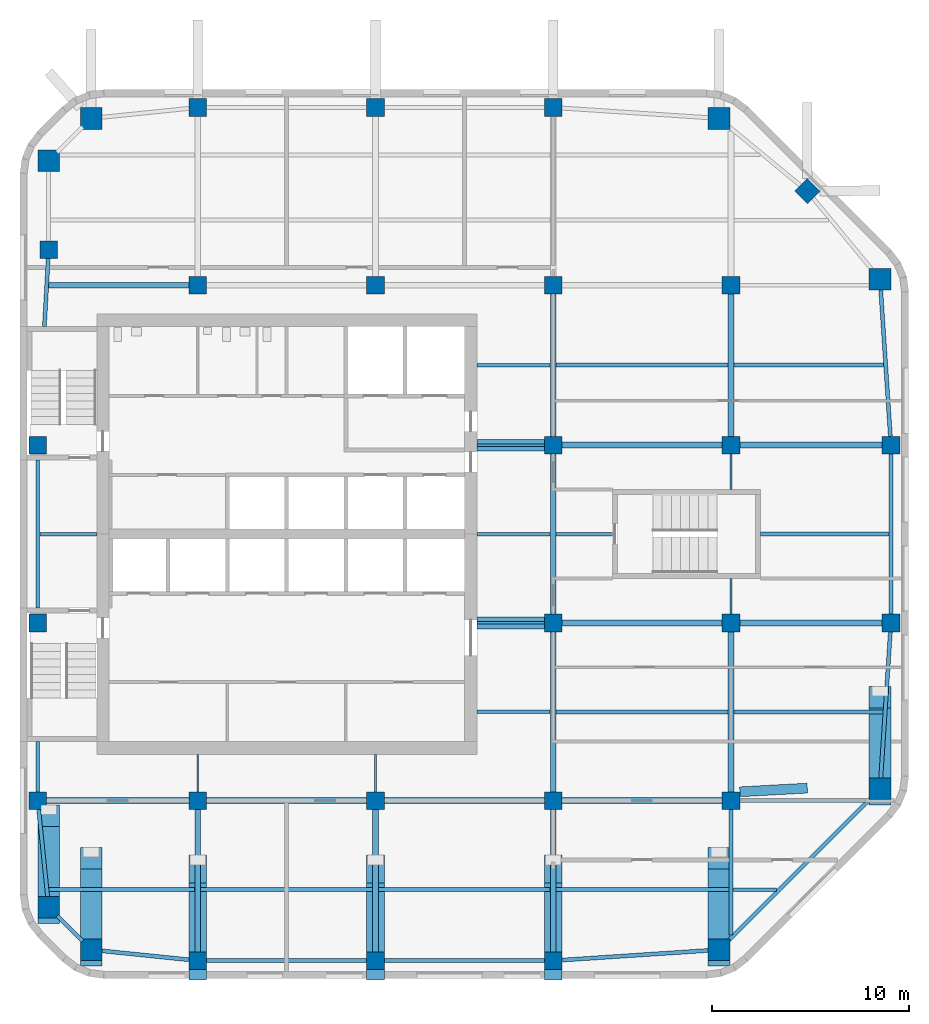
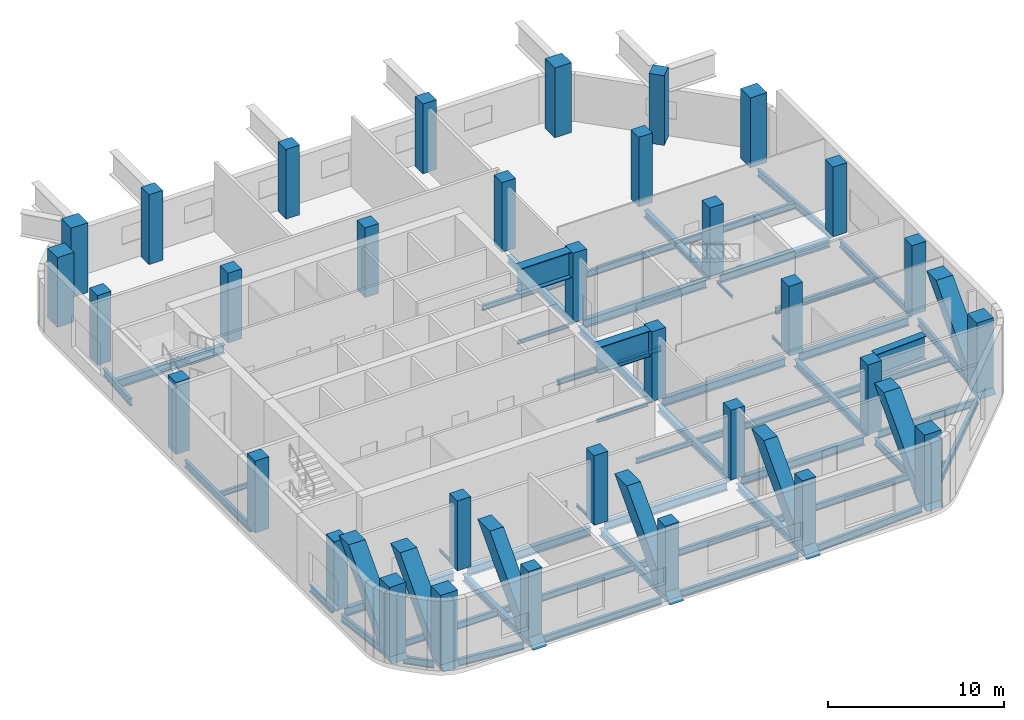
# One storey, part 1 of 8: 56 beams, 33 columns, 7 members.
"""IFC4 building model written with IfcOpenShell, lengths in metres."""

from ifc_helpers import new_model, si_unit, direction, frame, origin, origin_2d, place, context, subcontext, project, spatial, rectangle, i_section, extrude, material, material_profile, profile_set, type_object, element, save


model = new_model("IFC4")

# Units and contexts
model_context = context("Model", 3, precision=1e-05, world=origin(), true_north=direction((0.0, 1.0)))
body_context = subcontext(model_context, "Body", "Model", "MODEL_VIEW")
ifc_project = project(units=[si_unit("LENGTHUNIT", "METRE"), si_unit("AREAUNIT", "SQUARE_METRE"), si_unit("VOLUMEUNIT", "CUBIC_METRE"), si_unit("PLANEANGLEUNIT", "RADIAN"), si_unit("MASSUNIT", "GRAM", prefix="KILO")], contexts=[model_context])

# Site, building, storey
site_placement = place(None, origin())
site = spatial("IfcSite", under=ifc_project, at=site_placement, CompositionType="ELEMENT")
building_placement = place(site_placement, origin())
building = spatial("IfcBuilding", under=site, at=building_placement, Name="Cinnabar Reach Civic Tower", CompositionType="ELEMENT")
storey_placement = place(building_placement, frame((0.0, 0.0, 193.0)))
storey = spatial("IfcBuildingStorey", under=building, at=storey_placement, Name="L46", CompositionType="ELEMENT", Elevation=193.0)

# Columns
ifc_material_1 = material(Name="Concrete C80", Category="concrete")
ifc_material_profile_1 = material_profile(ifc_material_1, rectangle(XDim=1.1, YDim=1.1, at=origin_2d()), Name="RC1100")
ifc_profile_set_1 = profile_set([ifc_material_profile_1], Name="Concrete C80")
column_type_1 = type_object("IfcColumnType", Name="RC1100 column R 240", PredefinedType="COLUMN", material=ifc_profile_set_1)
for number, where, z_axis, x_axis, name in (
    (1, (3.6019, 10.4531, 0.0), (0.0, 0.0, 1.0), (1.0, 0.0, 0.0), "Terrace post T1-Z3-CC0"),
    (2, (35.3981, 10.4531, 0.0), (0.0, 0.0, 1.0), (1.0, 0.0, 0.0), "Terrace post T1-Z3-CC1"),
    (3, (43.5469, 18.6019, 0.0), (0.0, 0.0, 1.0), (1.0, 0.0, 0.0), "Terrace post T1-Z3-CC2"),
    (4, (43.5469, 44.3981, 0.0), (0.0, 0.0, 1.0), (1.0, 0.0, 0.0), "Column T1-Z3-CC3"),
    (5, (35.3981, 52.5469, 0.0), (0.0, 0.0, 1.0), (1.0, 0.0, 0.0), "Column T1-Z3-CC4"),
    (6, (3.6019, 52.5469, 0.0), (0.0, 0.0, 1.0), (1.0, 0.0, 0.0), "Column T1-Z3-CC5"),
    (7, (1.4531, 50.3981, 0.0), (0.0, 0.0, 1.0), (1.0, 0.0, 0.0), "Column T1-Z3-CC6"),
    (8, (1.4531, 12.6019, 0.0), (0.0, 0.0, 1.0), (1.0, 0.0, 0.0), "Terrace post T1-Z3-CC7"),
):
    element("IfcColumn", number, at=place(storey_placement, frame(where, z_axis=z_axis, x_axis=x_axis)), inside=storey, type_object=column_type_1, Name=name, PredefinedType="COLUMN", context=body_context, shape_type="SweptSolid", body=[
        extrude(rectangle(XDim=1.1, YDim=1.1, at=origin_2d()), origin(), (0.0, 0.0, 1.0), 4.85),
    ])
ifc_material_2 = material(Name="Concrete C70", Category="concrete")
ifc_material_profile_2 = material_profile(ifc_material_2, rectangle(XDim=0.9, YDim=0.9, at=origin_2d()), Name="RC900")
ifc_profile_set_2 = profile_set([ifc_material_profile_2], Name="Concrete C70")
column_type_2 = type_object("IfcColumnType", Name="RC900 column R 240", PredefinedType="COLUMN", material=ifc_profile_set_2)
for number, where, z_axis, x_axis, name in (
    (9, (9.0, 9.9, 0.0), (0.0, 0.0, 1.0), (1.0, 0.0, 0.0), "Terrace post T1-Z3-F0-1"),
    (10, (18.0, 9.9, 0.0), (0.0, 0.0, 1.0), (1.0, 0.0, 0.0), "Terrace post T1-Z3-F0-2"),
    (11, (27.0, 9.9, 0.0), (0.0, 0.0, 1.0), (1.0, 0.0, 0.0), "Terrace post T1-Z3-F0-3"),
    (12, (44.1, 27.0, 0.0), (0.0, 0.0, 1.0), (1.0, 0.0, 0.0), "Column T1-Z3-F2-3"),
    (13, (44.1, 36.0, 0.0), (0.0, 0.0, 1.0), (1.0, 0.0, 0.0), "Column T1-Z3-F2-4"),
    (14, (39.8636, 48.8636, 0.0), (0.0, 0.0, 1.0), (0.707106781187, 0.707106781187, 0.0), "Column T1-Z3-F3-M"),
    (15, (9.0, 53.1, 0.0), (0.0, 0.0, 1.0), (1.0, 0.0, 0.0), "Column T1-Z3-F4-1"),
    (16, (18.0, 53.1, 0.0), (0.0, 0.0, 1.0), (1.0, 0.0, 0.0), "Column T1-Z3-F4-2"),
    (17, (27.0, 53.1, 0.0), (0.0, 0.0, 1.0), (1.0, 0.0, 0.0), "Column T1-Z3-F4-3"),
    (18, (0.9, 18.0, 0.0), (0.0, 0.0, 1.0), (1.0, 0.0, 0.0), "Column T1-Z3-F6-2"),
):
    element("IfcColumn", number, at=place(storey_placement, frame(where, z_axis=z_axis, x_axis=x_axis)), inside=storey, type_object=column_type_2, Name=name, PredefinedType="COLUMN", context=body_context, shape_type="SweptSolid", body=[
        extrude(rectangle(XDim=0.9, YDim=0.9, at=origin_2d()), origin(), (0.0, 0.0, 1.0), 4.85),
    ])
for number, where, z_axis, x_axis, name in (
    (19, (0.9, 27.0, 0.0), (0.0, 0.0, 1.0), (1.0, 0.0, 0.0), "Column T1-Z3-F6-3"),
    (20, (0.9, 36.0, 0.0), (0.0, 0.0, 1.0), (1.0, 0.0, 0.0), "Column T1-Z3-F6-4"),
):
    element("IfcColumn", number, at=place(storey_placement, frame(where, z_axis=z_axis, x_axis=x_axis)), inside=storey, type_object=column_type_2, Name=name, PredefinedType="COLUMN", context=body_context, shape_type="SweptSolid", body=[
        extrude(rectangle(XDim=0.9, YDim=0.9, at=origin_2d()), origin(), (0.0, 0.0, 1.0), 5.0),
    ])
for number, where, z_axis, x_axis, name in (
    (21, (1.4531, 45.8981, 0.0), (0.0, 0.0, 1.0), (1.0, 0.0, 0.0), "Column T1-Z3-F6-5"),
    (22, (9.0, 18.0, 0.0), (0.0, 0.0, 1.0), (1.0, 0.0, 0.0), "Column T1-Z3-I9_18"),
    (23, (9.0, 44.1, 0.0), (0.0, 0.0, 1.0), (1.0, 0.0, 0.0), "Column T1-Z3-I9_45"),
    (24, (18.0, 18.0, 0.0), (0.0, 0.0, 1.0), (1.0, 0.0, 0.0), "Column T1-Z3-I18_18"),
    (25, (18.0, 44.1, 0.0), (0.0, 0.0, 1.0), (1.0, 0.0, 0.0), "Column T1-Z3-I18_45"),
    (26, (27.0, 18.0, 0.0), (0.0, 0.0, 1.0), (1.0, 0.0, 0.0), "Column T1-Z3-I27_18"),
    (27, (27.0, 27.0, 0.0), (0.0, 0.0, 1.0), (1.0, 0.0, 0.0), "Column T1-Z3-I27_27"),
    (28, (27.0, 36.0, 0.0), (0.0, 0.0, 1.0), (1.0, 0.0, 0.0), "Column T1-Z3-I27_36"),
    (29, (27.0, 44.1, 0.0), (0.0, 0.0, 1.0), (1.0, 0.0, 0.0), "Column T1-Z3-I27_45"),
    (30, (36.0, 18.0, 0.0), (0.0, 0.0, 1.0), (1.0, 0.0, 0.0), "Column T1-Z3-I36_18"),
    (31, (36.0, 27.0, 0.0), (0.0, 0.0, 1.0), (1.0, 0.0, 0.0), "Column T1-Z3-I36_27"),
    (32, (36.0, 36.0, 0.0), (0.0, 0.0, 1.0), (1.0, 0.0, 0.0), "Column T1-Z3-I36_36"),
    (33, (36.0, 44.1, 0.0), (0.0, 0.0, 1.0), (1.0, 0.0, 0.0), "Column T1-Z3-I36_45"),
):
    element("IfcColumn", number, at=place(storey_placement, frame(where, z_axis=z_axis, x_axis=x_axis)), inside=storey, type_object=column_type_2, Name=name, PredefinedType="COLUMN", context=body_context, shape_type="SweptSolid", body=[
        extrude(rectangle(XDim=0.9, YDim=0.9, at=origin_2d()), origin(), (0.0, 0.0, 1.0), 4.85),
    ])

# Beams
ifc_material_3 = material(Name="Steel Q355B", Category="steel")
ifc_material_profile_3 = material_profile(ifc_material_3, i_section(OverallWidth=0.3, OverallDepth=0.488, WebThickness=0.011, FlangeThickness=0.018, FilletRadius=0.016, at=origin_2d()), Name="HM488x300x11x18")
ifc_profile_set_3 = profile_set([ifc_material_profile_3], Name="Steel Q355B")
beam_type_1 = type_object("IfcBeamType", Name="HM488x300x11x18 beam R 180", PredefinedType="BEAM", material=ifc_profile_set_3)
for number, where, z_axis, x_axis, name in (
    (34, (9.0, 10.352, -0.544), (0.0, 1.0, 0.0), (-1.0, 0.0, 0.0), "Girder T1 L46 1"),
    (35, (18.0, 10.352, -0.544), (0.0, 1.0, 0.0), (-1.0, 0.0, 0.0), "Girder T1 L46 4"),
    (36, (27.0, 10.352, -0.544), (0.0, 1.0, 0.0), (-1.0, 0.0, 0.0), "Girder T1 L46 7"),
):
    element("IfcBeam", number, at=place(storey_placement, frame(where, z_axis=z_axis, x_axis=x_axis)), inside=storey, type_object=beam_type_1, Name=name, PredefinedType="BEAM", context=body_context, shape_type="SweptSolid", body=[
        extrude(i_section(OverallWidth=0.3, OverallDepth=0.488, WebThickness=0.011, FlangeThickness=0.018, FilletRadius=0.016, at=origin_2d()), origin(), (0.0, 0.0, 1.0), 7.196),
    ])
for number, where, z_axis, x_axis, name in (
    (37, (27.0, 18.452, -0.544), (0.0, 1.0, 0.0), (-1.0, 0.0, 0.0), "Girder T1 L46 8"),
    (38, (27.0, 27.452, -0.544), (0.0, 1.0, 0.0), (-1.0, 0.0, 0.0), "Girder T1 L46 9"),
):
    element("IfcBeam", number, at=place(storey_placement, frame(where, z_axis=z_axis, x_axis=x_axis)), inside=storey, type_object=beam_type_1, Name=name, PredefinedType="BEAM", context=body_context, shape_type="SweptSolid", body=[
        extrude(i_section(OverallWidth=0.3, OverallDepth=0.488, WebThickness=0.011, FlangeThickness=0.018, FilletRadius=0.016, at=origin_2d()), origin(), (0.0, 0.0, 1.0), 8.096),
    ])
beam_1_placement = place(storey_placement, frame((27.0, 36.452, -0.544), z_axis=(0.0, 1.0, 0.0), x_axis=(-1.0, 0.0, 0.0)))
element("IfcBeam", 39, at=beam_1_placement, inside=storey, type_object=beam_type_1, Name="Girder T1 L46 10", PredefinedType="BEAM", context=body_context, shape_type="SweptSolid", body=[
    extrude(i_section(OverallWidth=0.3, OverallDepth=0.488, WebThickness=0.011, FlangeThickness=0.018, FilletRadius=0.016, at=origin_2d()), origin(), (0.0, 0.0, 1.0), 7.196),
])
beam_2_placement = place(storey_placement, frame((36.0, 18.452, -0.544), z_axis=(0.0, 1.0, 0.0), x_axis=(-1.0, 0.0, 0.0)))
element("IfcBeam", 40, at=beam_2_placement, inside=storey, type_object=beam_type_1, Name="Girder T1 L46 13", PredefinedType="BEAM", context=body_context, shape_type="SweptSolid", body=[
    extrude(i_section(OverallWidth=0.3, OverallDepth=0.488, WebThickness=0.011, FlangeThickness=0.018, FilletRadius=0.016, at=origin_2d()), origin(), (0.0, 0.0, 1.0), 8.096),
])
beam_3_placement = place(storey_placement, frame((36.0, 36.452, -0.544), z_axis=(0.0, 1.0, 0.0), x_axis=(-1.0, 0.0, 0.0)))
element("IfcBeam", 41, at=beam_3_placement, inside=storey, type_object=beam_type_1, Name="Girder T1 L46 16", PredefinedType="BEAM", context=body_context, shape_type="SweptSolid", body=[
    extrude(i_section(OverallWidth=0.3, OverallDepth=0.488, WebThickness=0.011, FlangeThickness=0.018, FilletRadius=0.016, at=origin_2d()), origin(), (0.0, 0.0, 1.0), 7.196),
])
ifc_material_profile_4 = material_profile(ifc_material_3, i_section(OverallWidth=0.3, OverallDepth=0.588, WebThickness=0.012, FlangeThickness=0.02, FilletRadius=0.016, at=origin_2d()), Name="HM588x300x12x20")
ifc_profile_set_4 = profile_set([ifc_material_profile_4], Name="Steel Q355B")
beam_type_2 = type_object("IfcBeamType", Name="HM588x300x12x20 beam R 180", PredefinedType="BEAM", material=ifc_profile_set_4)
beam_4_placement = place(storey_placement, frame((1.352, 18.0, -0.594), z_axis=(1.0, 0.0, 0.0), x_axis=(0.0, 1.0, 0.0)))
element("IfcBeam", 42, at=beam_4_placement, inside=storey, type_object=beam_type_2, Name="Girder T1 L46 1", PredefinedType="BEAM", context=body_context, shape_type="SweptSolid", body=[
    extrude(i_section(OverallWidth=0.3, OverallDepth=0.588, WebThickness=0.012, FlangeThickness=0.02, FilletRadius=0.016, at=origin_2d()), origin(), (0.0, 0.0, 1.0), 7.196),
])
for number, where, z_axis, x_axis, name in (
    (43, (9.452, 18.0, -0.594), (1.0, 0.0, 0.0), (0.0, 1.0, 0.0), "Girder T1 L46 2"),
    (44, (18.452, 18.0, -0.594), (1.0, 0.0, 0.0), (0.0, 1.0, 0.0), "Girder T1 L46 3"),
    (45, (27.452, 18.0, -0.594), (1.0, 0.0, 0.0), (0.0, 1.0, 0.0), "Girder T1 L46 4"),
    (46, (27.452, 27.0, -0.594), (1.0, 0.0, 0.0), (0.0, 1.0, 0.0), "Girder T1 L46 7"),
):
    element("IfcBeam", number, at=place(storey_placement, frame(where, z_axis=z_axis, x_axis=x_axis)), inside=storey, type_object=beam_type_2, Name=name, PredefinedType="BEAM", context=body_context, shape_type="SweptSolid", body=[
        extrude(i_section(OverallWidth=0.3, OverallDepth=0.588, WebThickness=0.012, FlangeThickness=0.02, FilletRadius=0.016, at=origin_2d()), origin(), (0.0, 0.0, 1.0), 8.096),
    ])
beam_5_placement = place(storey_placement, frame((36.452, 27.0, -0.594), z_axis=(1.0, 0.0, 0.0), x_axis=(0.0, 1.0, 0.0)))
element("IfcBeam", 47, at=beam_5_placement, inside=storey, type_object=beam_type_2, Name="Girder T1 L46 8", PredefinedType="BEAM", context=body_context, shape_type="SweptSolid", body=[
    extrude(i_section(OverallWidth=0.3, OverallDepth=0.588, WebThickness=0.012, FlangeThickness=0.02, FilletRadius=0.016, at=origin_2d()), origin(), (0.0, 0.0, 1.0), 7.196),
])
beam_6_placement = place(storey_placement, frame((27.452, 36.0, -0.594), z_axis=(1.0, 0.0, 0.0), x_axis=(0.0, 1.0, 0.0)))
element("IfcBeam", 48, at=beam_6_placement, inside=storey, type_object=beam_type_2, Name="Girder T1 L46 10", PredefinedType="BEAM", context=body_context, shape_type="SweptSolid", body=[
    extrude(i_section(OverallWidth=0.3, OverallDepth=0.588, WebThickness=0.012, FlangeThickness=0.02, FilletRadius=0.016, at=origin_2d()), origin(), (0.0, 0.0, 1.0), 8.096),
])
beam_7_placement = place(storey_placement, frame((36.452, 36.0, -0.594), z_axis=(1.0, 0.0, 0.0), x_axis=(0.0, 1.0, 0.0)))
element("IfcBeam", 49, at=beam_7_placement, inside=storey, type_object=beam_type_2, Name="Girder T1 L46 11", PredefinedType="BEAM", context=body_context, shape_type="SweptSolid", body=[
    extrude(i_section(OverallWidth=0.3, OverallDepth=0.588, WebThickness=0.012, FlangeThickness=0.02, FilletRadius=0.016, at=origin_2d()), origin(), (0.0, 0.0, 1.0), 7.196),
])
beam_8_placement = place(storey_placement, frame((1.4548, 44.1, -0.594), z_axis=(1.0, 0.0, 0.0), x_axis=(0.0, 1.0, 0.0)))
element("IfcBeam", 50, at=beam_8_placement, inside=storey, type_object=beam_type_2, Name="Girder T1 L46 12", PredefinedType="BEAM", context=body_context, shape_type="SweptSolid", body=[
    extrude(i_section(OverallWidth=0.3, OverallDepth=0.588, WebThickness=0.012, FlangeThickness=0.02, FilletRadius=0.016, at=origin_2d()), origin(), (0.0, 0.0, 1.0), 7.0932),
])
ifc_material_profile_5 = material_profile(ifc_material_3, i_section(OverallWidth=0.099, OverallDepth=0.198, WebThickness=0.0045, FlangeThickness=0.007, FilletRadius=0.013, at=origin_2d()), Name="HN200x100x5.5x8")
ifc_profile_set_5 = profile_set([ifc_material_profile_5], Name="Steel Q355B")
beam_type_3 = type_object("IfcBeamType", Name="HN200x100x5.5x8 beam R 180", PredefinedType="BEAM", material=ifc_profile_set_5)
for number, where, z_axis, x_axis, name in (
    (51, (9.0, 18.452, -0.399), (0.0, 1.0, 0.0), (-1.0, 0.0, 0.0), "Girder T1 L46 2"),
    (52, (18.0, 18.452, -0.399), (0.0, 1.0, 0.0), (-1.0, 0.0, 0.0), "Girder T1 L46 5"),
):
    element("IfcBeam", number, at=place(storey_placement, frame(where, z_axis=z_axis, x_axis=x_axis)), inside=storey, type_object=beam_type_3, Name=name, PredefinedType="BEAM", context=body_context, shape_type="SweptSolid", body=[
        extrude(i_section(OverallWidth=0.099, OverallDepth=0.198, WebThickness=0.0045, FlangeThickness=0.007, FilletRadius=0.013, at=origin_2d()), origin(), (0.0, 0.0, 1.0), 1.896),
    ])
for number, where, z_axis, x_axis, name in (
    (53, (36.0, 27.452, -0.399), (0.0, 1.0, 0.0), (-1.0, 0.0, 0.0), "Girder T1 L46 14"),
    (54, (36.0, 33.752, -0.399), (0.0, 1.0, 0.0), (-1.0, 0.0, 0.0), "Girder T1 L46 15"),
):
    element("IfcBeam", number, at=place(storey_placement, frame(where, z_axis=z_axis, x_axis=x_axis)), inside=storey, type_object=beam_type_3, Name=name, PredefinedType="BEAM", context=body_context, shape_type="SweptSolid", body=[
        extrude(i_section(OverallWidth=0.099, OverallDepth=0.198, WebThickness=0.0045, FlangeThickness=0.007, FilletRadius=0.013, at=origin_2d()), origin(), (0.0, 0.0, 1.0), 1.796),
    ])
ifc_material_profile_6 = material_profile(ifc_material_3, i_section(OverallWidth=0.124, OverallDepth=0.248, WebThickness=0.005, FlangeThickness=0.008, FilletRadius=0.013, at=origin_2d()), Name="HN250x125x6x9")
ifc_profile_set_6 = profile_set([ifc_material_profile_6], Name="Steel Q355B")
beam_type_4 = type_object("IfcBeamType", Name="HN250x125x6x9 beam R 180", PredefinedType="BEAM", material=ifc_profile_set_6)
for number, where, z_axis, x_axis, name in (
    (55, (23.152, 27.0, -0.424), (1.0, 0.0, 0.0), (0.0, 1.0, 0.0), "Girder T1 L46 6"),
    (56, (23.152, 36.0, -0.424), (1.0, 0.0, 0.0), (0.0, 1.0, 0.0), "Girder T1 L46 9"),
):
    element("IfcBeam", number, at=place(storey_placement, frame(where, z_axis=z_axis, x_axis=x_axis)), inside=storey, type_object=beam_type_4, Name=name, PredefinedType="BEAM", context=body_context, shape_type="SweptSolid", body=[
        extrude(i_section(OverallWidth=0.124, OverallDepth=0.248, WebThickness=0.005, FlangeThickness=0.008, FilletRadius=0.013, at=origin_2d()), origin(), (0.0, 0.0, 1.0), 3.396),
    ])
ifc_material_profile_7 = material_profile(ifc_material_3, i_section(OverallWidth=0.175, OverallDepth=0.35, WebThickness=0.007, FlangeThickness=0.011, FilletRadius=0.013, at=origin_2d()), Name="HN350x175x7x11")
ifc_profile_set_7 = profile_set([ifc_material_profile_7], Name="Steel Q355B")
beam_type_5 = type_object("IfcBeamType", Name="HN350x175x7x11 beam R 180", PredefinedType="BEAM", material=ifc_profile_set_7)
beam_9_placement = place(storey_placement, frame((36.102, 13.5, -0.475), z_axis=(1.0, 0.0, 0.0), x_axis=(0.0, 1.0, 0.0)))
element("IfcBeam", 57, at=beam_9_placement, inside=storey, type_object=beam_type_5, Name="Secondary beam T1 L46 5", PredefinedType="BEAM", context=body_context, shape_type="SweptSolid", body=[
    extrude(i_section(OverallWidth=0.175, OverallDepth=0.35, WebThickness=0.007, FlangeThickness=0.011, FilletRadius=0.013, at=origin_2d()), origin(), (0.0, 0.0, 1.0), 2.1988),
])
beam_10_placement = place(storey_placement, frame((23.152, 22.5, -0.475), z_axis=(1.0, 0.0, 0.0), x_axis=(0.0, 1.0, 0.0)))
element("IfcBeam", 58, at=beam_10_placement, inside=storey, type_object=beam_type_5, Name="Secondary beam T1 L46 6", PredefinedType="BEAM", context=body_context, shape_type="SweptSolid", body=[
    extrude(i_section(OverallWidth=0.175, OverallDepth=0.35, WebThickness=0.007, FlangeThickness=0.011, FilletRadius=0.013, at=origin_2d()), origin(), (0.0, 0.0, 1.0), 3.696),
])
beam_11_placement = place(storey_placement, frame((1.002, 31.5, -0.475), z_axis=(1.0, 0.0, 0.0), x_axis=(0.0, 1.0, 0.0)))
element("IfcBeam", 59, at=beam_11_placement, inside=storey, type_object=beam_type_5, Name="Secondary beam T1 L46 9", PredefinedType="BEAM", context=body_context, shape_type="SweptSolid", body=[
    extrude(i_section(OverallWidth=0.175, OverallDepth=0.35, WebThickness=0.007, FlangeThickness=0.011, FilletRadius=0.013, at=origin_2d()), origin(), (0.0, 0.0, 1.0), 2.896),
])
beam_12_placement = place(storey_placement, frame((23.152, 31.5, -0.475), z_axis=(1.0, 0.0, 0.0), x_axis=(0.0, 1.0, 0.0)))
element("IfcBeam", 60, at=beam_12_placement, inside=storey, type_object=beam_type_5, Name="Secondary beam T1 L46 10", PredefinedType="BEAM", context=body_context, shape_type="SweptSolid", body=[
    extrude(i_section(OverallWidth=0.175, OverallDepth=0.35, WebThickness=0.007, FlangeThickness=0.011, FilletRadius=0.013, at=origin_2d()), origin(), (0.0, 0.0, 1.0), 3.696),
])
beam_13_placement = place(storey_placement, frame((27.152, 31.5, -0.475), z_axis=(1.0, 0.0, 0.0), x_axis=(0.0, 1.0, 0.0)))
element("IfcBeam", 61, at=beam_13_placement, inside=storey, type_object=beam_type_5, Name="Secondary beam T1 L46 11", PredefinedType="BEAM", context=body_context, shape_type="SweptSolid", body=[
    extrude(i_section(OverallWidth=0.175, OverallDepth=0.35, WebThickness=0.007, FlangeThickness=0.011, FilletRadius=0.013, at=origin_2d()), origin(), (0.0, 0.0, 1.0), 2.846),
])
beam_14_placement = place(storey_placement, frame((23.152, 40.05, -0.475), z_axis=(1.0, 0.0, 0.0), x_axis=(0.0, 1.0, 0.0)))
element("IfcBeam", 62, at=beam_14_placement, inside=storey, type_object=beam_type_5, Name="Secondary beam T1 L46 13", PredefinedType="BEAM", context=body_context, shape_type="SweptSolid", body=[
    extrude(i_section(OverallWidth=0.175, OverallDepth=0.35, WebThickness=0.007, FlangeThickness=0.011, FilletRadius=0.013, at=origin_2d()), origin(), (0.0, 0.0, 1.0), 3.696),
])
ifc_material_profile_8 = material_profile(ifc_material_3, i_section(OverallWidth=0.2, OverallDepth=0.45, WebThickness=0.009, FlangeThickness=0.014, FilletRadius=0.016, at=origin_2d()), Name="HN450x200x9x14")
ifc_profile_set_8 = profile_set([ifc_material_profile_8], Name="Steel Q355B")
beam_type_6 = type_object("IfcBeamType", Name="HN450x200x9x14 beam R 180", PredefinedType="BEAM", material=ifc_profile_set_8)
beam_15_placement = place(storey_placement, frame((1.4636, 13.5, -0.525), z_axis=(1.0, 0.0, 0.0), x_axis=(0.0, 1.0, 0.0)))
element("IfcBeam", 63, at=beam_15_placement, inside=storey, type_object=beam_type_6, Name="Secondary beam T1 L46 1", PredefinedType="BEAM", context=body_context, shape_type="SweptSolid", body=[
    extrude(i_section(OverallWidth=0.2, OverallDepth=0.45, WebThickness=0.009, FlangeThickness=0.014, FilletRadius=0.016, at=origin_2d()), origin(), (0.0, 0.0, 1.0), 7.3844),
])
for number, where, z_axis, x_axis, name in (
    (64, (9.152, 13.5, -0.525), (1.0, 0.0, 0.0), (0.0, 1.0, 0.0), "Secondary beam T1 L46 2"),
    (65, (18.152, 13.5, -0.525), (1.0, 0.0, 0.0), (0.0, 1.0, 0.0), "Secondary beam T1 L46 3"),
):
    element("IfcBeam", number, at=place(storey_placement, frame(where, z_axis=z_axis, x_axis=x_axis)), inside=storey, type_object=beam_type_6, Name=name, PredefinedType="BEAM", context=body_context, shape_type="SweptSolid", body=[
        extrude(i_section(OverallWidth=0.2, OverallDepth=0.45, WebThickness=0.009, FlangeThickness=0.014, FilletRadius=0.016, at=origin_2d()), origin(), (0.0, 0.0, 1.0), 8.696),
    ])
beam_16_placement = place(storey_placement, frame((27.152, 13.5, -0.525), z_axis=(1.0, 0.0, 0.0), x_axis=(0.0, 1.0, 0.0)))
element("IfcBeam", 66, at=beam_16_placement, inside=storey, type_object=beam_type_6, Name="Secondary beam T1 L46 4", PredefinedType="BEAM", context=body_context, shape_type="SweptSolid", body=[
    extrude(i_section(OverallWidth=0.2, OverallDepth=0.45, WebThickness=0.009, FlangeThickness=0.014, FilletRadius=0.016, at=origin_2d()), origin(), (0.0, 0.0, 1.0), 8.746),
])
beam_17_placement = place(storey_placement, frame((27.152, 22.5, -0.525), z_axis=(1.0, 0.0, 0.0), x_axis=(0.0, 1.0, 0.0)))
element("IfcBeam", 67, at=beam_17_placement, inside=storey, type_object=beam_type_6, Name="Secondary beam T1 L46 7", PredefinedType="BEAM", context=body_context, shape_type="SweptSolid", body=[
    extrude(i_section(OverallWidth=0.2, OverallDepth=0.45, WebThickness=0.009, FlangeThickness=0.014, FilletRadius=0.016, at=origin_2d()), origin(), (0.0, 0.0, 1.0), 8.696),
])
beam_18_placement = place(storey_placement, frame((36.152, 22.5, -0.525), z_axis=(1.0, 0.0, 0.0), x_axis=(0.0, 1.0, 0.0)))
element("IfcBeam", 68, at=beam_18_placement, inside=storey, type_object=beam_type_6, Name="Secondary beam T1 L46 8", PredefinedType="BEAM", context=body_context, shape_type="SweptSolid", body=[
    extrude(i_section(OverallWidth=0.2, OverallDepth=0.45, WebThickness=0.009, FlangeThickness=0.014, FilletRadius=0.016, at=origin_2d()), origin(), (0.0, 0.0, 1.0), 7.5494),
])
beam_19_placement = place(storey_placement, frame((37.502, 31.5, -0.525), z_axis=(1.0, 0.0, 0.0), x_axis=(0.0, 1.0, 0.0)))
element("IfcBeam", 69, at=beam_19_placement, inside=storey, type_object=beam_type_6, Name="Secondary beam T1 L46 12", PredefinedType="BEAM", context=body_context, shape_type="SweptSolid", body=[
    extrude(i_section(OverallWidth=0.2, OverallDepth=0.45, WebThickness=0.009, FlangeThickness=0.014, FilletRadius=0.016, at=origin_2d()), origin(), (0.0, 0.0, 1.0), 6.496),
])
beam_20_placement = place(storey_placement, frame((27.152, 40.05, -0.525), z_axis=(1.0, 0.0, 0.0), x_axis=(0.0, 1.0, 0.0)))
element("IfcBeam", 70, at=beam_20_placement, inside=storey, type_object=beam_type_6, Name="Secondary beam T1 L46 14", PredefinedType="BEAM", context=body_context, shape_type="SweptSolid", body=[
    extrude(i_section(OverallWidth=0.2, OverallDepth=0.45, WebThickness=0.009, FlangeThickness=0.014, FilletRadius=0.016, at=origin_2d()), origin(), (0.0, 0.0, 1.0), 8.696),
])
beam_21_placement = place(storey_placement, frame((36.152, 40.05, -0.525), z_axis=(1.0, 0.0, 0.0), x_axis=(0.0, 1.0, 0.0)))
element("IfcBeam", 71, at=beam_21_placement, inside=storey, type_object=beam_type_6, Name="Secondary beam T1 L46 15", PredefinedType="BEAM", context=body_context, shape_type="SweptSolid", body=[
    extrude(i_section(OverallWidth=0.2, OverallDepth=0.45, WebThickness=0.009, FlangeThickness=0.014, FilletRadius=0.016, at=origin_2d()), origin(), (0.0, 0.0, 1.0), 7.579),
])
ifc_material_profile_9 = material_profile(ifc_material_3, i_section(OverallWidth=0.2, OverallDepth=0.5, WebThickness=0.01, FlangeThickness=0.016, FilletRadius=0.016, at=origin_2d()), Name="HN500x200x10x16")
ifc_profile_set_9 = profile_set([ifc_material_profile_9], Name="Steel Q355B")
beam_type_7 = type_object("IfcBeamType", Name="HN500x200x10x16 beam R 180", PredefinedType="BEAM", material=ifc_profile_set_9)
beam_22_placement = place(storey_placement, frame((4.0339, 10.4088, -0.55), z_axis=(0.994792272495, -0.101923179821, 0.0), x_axis=(0.101923179821, 0.994792272495, 0.0)))
element("IfcBeam", 72, at=beam_22_placement, inside=storey, type_object=beam_type_7, Name="Edge beam T1 L46 1", PredefinedType="BEAM", context=body_context, shape_type="SweptSolid", body=[
    extrude(i_section(OverallWidth=0.2, OverallDepth=0.5, WebThickness=0.01, FlangeThickness=0.016, FilletRadius=0.016, at=origin_2d()), origin(), (0.0, 0.0, 1.0), 4.5377),
])
for number, where, z_axis, x_axis, name in (
    (73, (9.452, 9.9, -0.55), (1.0, 0.0, 0.0), (0.0, 1.0, 0.0), "Edge beam T1 L46 2"),
    (74, (18.452, 9.9, -0.55), (1.0, 0.0, 0.0), (0.0, 1.0, 0.0), "Edge beam T1 L46 3"),
):
    element("IfcBeam", number, at=place(storey_placement, frame(where, z_axis=z_axis, x_axis=x_axis)), inside=storey, type_object=beam_type_7, Name=name, PredefinedType="BEAM", context=body_context, shape_type="SweptSolid", body=[
        extrude(i_section(OverallWidth=0.2, OverallDepth=0.5, WebThickness=0.01, FlangeThickness=0.016, FilletRadius=0.016, at=origin_2d()), origin(), (0.0, 0.0, 1.0), 8.096),
    ])
beam_23_placement = place(storey_placement, frame((27.452, 9.9298, -0.55), z_axis=(0.99783894477, 0.065707231721, 0.0), x_axis=(-0.065707231721, 0.99783894477, 0.0)))
element("IfcBeam", 75, at=beam_23_placement, inside=storey, type_object=beam_type_7, Name="Edge beam T1 L46 4", PredefinedType="BEAM", context=body_context, shape_type="SweptSolid", body=[
    extrude(i_section(OverallWidth=0.2, OverallDepth=0.5, WebThickness=0.01, FlangeThickness=0.016, FilletRadius=0.016, at=origin_2d()), origin(), (0.0, 0.0, 1.0), 7.5304),
])
beam_24_placement = place(storey_placement, frame((35.8301, 10.8851, -0.55), z_axis=(0.707106781187, 0.707106781187, 0.0), x_axis=(-0.707106781187, 0.707106781187, 0.0)))
element("IfcBeam", 76, at=beam_24_placement, inside=storey, type_object=beam_type_7, Name="Edge beam T1 L46 5", PredefinedType="BEAM", context=body_context, shape_type="SweptSolid", body=[
    extrude(i_section(OverallWidth=0.2, OverallDepth=0.5, WebThickness=0.01, FlangeThickness=0.016, FilletRadius=0.016, at=origin_2d()), origin(), (0.0, 0.0, 1.0), 10.3023),
])
beam_25_placement = place(storey_placement, frame((43.5754, 19.0339, -0.55), z_axis=(0.065707231721, 0.99783894477, 0.0), x_axis=(-0.99783894477, 0.065707231721, 0.0)))
element("IfcBeam", 77, at=beam_25_placement, inside=storey, type_object=beam_type_7, Name="Edge beam T1 L46 6", PredefinedType="BEAM", context=body_context, shape_type="SweptSolid", body=[
    extrude(i_section(OverallWidth=0.2, OverallDepth=0.5, WebThickness=0.01, FlangeThickness=0.016, FilletRadius=0.016, at=origin_2d()), origin(), (0.0, 0.0, 1.0), 7.5304),
])
beam_26_placement = place(storey_placement, frame((44.1, 27.452, -0.55), z_axis=(0.0, 1.0, 0.0), x_axis=(-1.0, 0.0, 0.0)))
element("IfcBeam", 78, at=beam_26_placement, inside=storey, type_object=beam_type_7, Name="Edge beam T1 L46 7", PredefinedType="BEAM", context=body_context, shape_type="SweptSolid", body=[
    extrude(i_section(OverallWidth=0.2, OverallDepth=0.5, WebThickness=0.01, FlangeThickness=0.016, FilletRadius=0.016, at=origin_2d()), origin(), (0.0, 0.0, 1.0), 8.096),
])
beam_27_placement = place(storey_placement, frame((44.0702, 36.452, -0.55), z_axis=(-0.065707231721, 0.99783894477, 0.0), x_axis=(-0.99783894477, -0.065707231721, 0.0)))
element("IfcBeam", 79, at=beam_27_placement, inside=storey, type_object=beam_type_7, Name="Edge beam T1 L46 8", PredefinedType="BEAM", context=body_context, shape_type="SweptSolid", body=[
    extrude(i_section(OverallWidth=0.2, OverallDepth=0.5, WebThickness=0.01, FlangeThickness=0.016, FilletRadius=0.016, at=origin_2d()), origin(), (0.0, 0.0, 1.0), 7.5304),
])
beam_28_placement = place(storey_placement, frame((1.4278, 45.4461, -0.55), z_axis=(-0.0557766862, -0.998443268932, 0.0), x_axis=(0.998443268932, -0.0557766862, 0.0)))
element("IfcBeam", 80, at=beam_28_placement, inside=storey, type_object=beam_type_7, Name="Edge beam T1 L46 17", PredefinedType="BEAM", context=body_context, shape_type="SweptSolid", body=[
    extrude(i_section(OverallWidth=0.2, OverallDepth=0.5, WebThickness=0.01, FlangeThickness=0.016, FilletRadius=0.016, at=origin_2d()), origin(), (0.0, 0.0, 1.0), 3.4495),
])
beam_29_placement = place(storey_placement, frame((0.9, 35.248, -0.55), z_axis=(0.0, -1.0, 0.0), x_axis=(1.0, 0.0, 0.0)))
element("IfcBeam", 81, at=beam_29_placement, inside=storey, type_object=beam_type_7, Name="Edge beam T1 L46 18", PredefinedType="BEAM", context=body_context, shape_type="SweptSolid", body=[
    extrude(i_section(OverallWidth=0.2, OverallDepth=0.5, WebThickness=0.01, FlangeThickness=0.016, FilletRadius=0.016, at=origin_2d()), origin(), (0.0, 0.0, 1.0), 7.496),
])
beam_30_placement = place(storey_placement, frame((0.9, 20.998, -0.55), z_axis=(0.0, -1.0, 0.0), x_axis=(1.0, 0.0, 0.0)))
element("IfcBeam", 82, at=beam_30_placement, inside=storey, type_object=beam_type_7, Name="Edge beam T1 L46 19", PredefinedType="BEAM", context=body_context, shape_type="SweptSolid", body=[
    extrude(i_section(OverallWidth=0.2, OverallDepth=0.5, WebThickness=0.01, FlangeThickness=0.016, FilletRadius=0.016, at=origin_2d()), origin(), (0.0, 0.0, 1.0), 2.546),
])
beam_31_placement = place(storey_placement, frame((0.9463, 17.548, -0.55), z_axis=(0.101923179821, -0.994792272495, 0.0), x_axis=(0.994792272495, 0.101923179821, 0.0)))
element("IfcBeam", 83, at=beam_31_placement, inside=storey, type_object=beam_type_7, Name="Edge beam T1 L46 20", PredefinedType="BEAM", context=body_context, shape_type="SweptSolid", body=[
    extrude(i_section(OverallWidth=0.2, OverallDepth=0.5, WebThickness=0.01, FlangeThickness=0.016, FilletRadius=0.016, at=origin_2d()), origin(), (0.0, 0.0, 1.0), 4.5377),
])
beam_32_placement = place(storey_placement, frame((1.8851, 12.1699, -0.55), z_axis=(0.707106781187, -0.707106781187, 0.0), x_axis=(0.707106781187, 0.707106781187, 0.0)))
element("IfcBeam", 84, at=beam_32_placement, inside=storey, type_object=beam_type_7, Name="Edge beam T1 L46 21", PredefinedType="BEAM", context=body_context, shape_type="SweptSolid", body=[
    extrude(i_section(OverallWidth=0.2, OverallDepth=0.5, WebThickness=0.01, FlangeThickness=0.016, FilletRadius=0.016, at=origin_2d()), origin(), (0.0, 0.0, 1.0), 1.817),
])
for number, where, z_axis, x_axis, name in (
    (85, (36.452, 18.0, -0.55), (1.0, 0.0, 0.0), (0.0, 1.0, 0.0), "Girder T1 L46 5"),
    (86, (36.0, 11.1992, -0.55), (0.0, 1.0, 0.0), (-1.0, 0.0, 0.0), "Girder T1 L46 12"),
):
    element("IfcBeam", number, at=place(storey_placement, frame(where, z_axis=z_axis, x_axis=x_axis)), inside=storey, type_object=beam_type_7, Name=name, PredefinedType="BEAM", context=body_context, shape_type="SweptSolid", body=[
        extrude(i_section(OverallWidth=0.2, OverallDepth=0.5, WebThickness=0.01, FlangeThickness=0.016, FilletRadius=0.016, at=origin_2d()), origin(), (0.0, 0.0, 1.0), 6.3488),
    ])
ifc_material_profile_10 = material_profile(ifc_material_3, i_section(OverallWidth=0.6, OverallDepth=1.8, WebThickness=0.028, FlangeThickness=0.045, at=origin_2d()), Name="BH1800x600x28x45")
ifc_profile_set_10 = profile_set([ifc_material_profile_10], Name="Steel Q355B")
beam_type_8 = type_object("IfcBeamType", Name="OUTRIGGER BH1800x600x28x45 R 240", PredefinedType="BEAM", material=ifc_profile_set_10)
for number, where, z_axis, x_axis, name in (
    (87, (23.152, 27.0, 3.95), (1.0, 0.0, 0.0), (0.0, 1.0, 0.0), "OUTRIGGER girder T1-L46-OG-E27"),
    (88, (23.152, 36.0, 3.95), (1.0, 0.0, 0.0), (0.0, 1.0, 0.0), "OUTRIGGER girder T1-L46-OG-E36"),
):
    element("IfcBeam", number, at=place(storey_placement, frame(where, z_axis=z_axis, x_axis=x_axis)), inside=storey, type_object=beam_type_8, Name=name, PredefinedType="BEAM", context=body_context, shape_type="SweptSolid", body=[
        extrude(i_section(OverallWidth=0.6, OverallDepth=1.8, WebThickness=0.028, FlangeThickness=0.045, at=origin_2d()), origin(), (0.0, 0.0, 1.0), 3.396),
    ])

# Members
ifc_material_profile_11 = material_profile(ifc_material_1, rectangle(XDim=1.1, YDim=1.1, at=origin_2d()), Name="RC1100")
ifc_profile_set_11 = profile_set([ifc_material_profile_11], Name="Concrete C80")
member_type_1 = type_object("IfcMemberType", Name="RC1100 raked column R 240", PredefinedType="STRUT", material=ifc_profile_set_11)
for number, where, z_axis, x_axis, name in (
    (89, (3.6019, 10.1747, -0.3), (0.0, 0.0, 1.0), (1.0, 0.0, 0.0), "Raked column T1-Z3-CC0"),
    (90, (35.3981, 10.1747, -0.3), (0.0, 0.0, 1.0), (1.0, 0.0, 0.0), "Raked column T1-Z3-CC1"),
    (91, (43.5469, 18.3235, -0.3), (0.0, 0.0, 1.0), (1.0, 0.0, 0.0), "Raked column T1-Z3-CC2"),
    (92, (1.4531, 12.3235, -0.3), (0.0, 0.0, 1.0), (1.0, 0.0, 0.0), "Raked column T1-Z3-CC7"),
):
    element("IfcMember", number, at=place(storey_placement, frame(where, z_axis=z_axis, x_axis=x_axis)), inside=storey, type_object=member_type_1, Name=name, PredefinedType="STRUT", context=body_context, shape_type="SweptSolid", body=[
        extrude(rectangle(XDim=1.1, YDim=1.1, at=origin_2d()), origin(), (0.0, 0.680166692317, 0.733057481145), 7.23),
    ])
ifc_material_profile_12 = material_profile(ifc_material_2, rectangle(XDim=1.4, YDim=0.9, at=origin_2d()), Name="RC1400x900")
ifc_profile_set_12 = profile_set([ifc_material_profile_12], Name="Concrete C70")
member_type_2 = type_object("IfcMemberType", Name="RC1400x900 raked strut R 240", PredefinedType="STRUT", material=ifc_profile_set_12)
for number, where, z_axis, x_axis, name in (
    (93, (9.0, 9.6216, -0.3), (0.0, 0.0, 1.0), (0.0, 1.0, 0.0), "Raked column T1-Z3-F0-1"),
    (94, (18.0, 9.6216, -0.3), (0.0, 0.0, 1.0), (0.0, 1.0, 0.0), "Raked column T1-Z3-F0-2"),
    (95, (27.0, 9.6216, -0.3), (0.0, 0.0, 1.0), (0.0, 1.0, 0.0), "Raked column T1-Z3-F0-3"),
):
    element("IfcMember", number, at=place(storey_placement, frame(where, z_axis=z_axis, x_axis=x_axis)), inside=storey, type_object=member_type_2, Name=name, PredefinedType="STRUT", context=body_context, shape_type="SweptSolid", body=[
        extrude(rectangle(XDim=1.4, YDim=0.9, at=origin_2d()), origin(), (0.680166692317, 0.0, 0.733057481145), 7.23),
    ])

# Beam
ifc_material_profile_13 = material_profile(ifc_material_3, i_section(OverallWidth=0.5, OverallDepth=1.6, WebThickness=0.025, FlangeThickness=0.04, at=origin_2d()), Name="BH1600x500x25x40")
ifc_profile_set_13 = profile_set([ifc_material_profile_13], Name="Steel Q355B")
beam_type_9 = type_object("IfcBeamType", Name="TRANSFER BH1600x500x25x40 R 240", PredefinedType="BEAM", material=ifc_profile_set_13)
beam_33_placement = place(storey_placement, frame((36.45, 18.45, 4.05), z_axis=(0.998512466765, 0.054523882061, 0.0), x_axis=(-0.054523882061, 0.998512466765, 0.0)))
element("IfcBeam", 96, at=beam_33_placement, inside=storey, type_object=beam_type_9, Name="TRANSFER girder T1-L46-TG-F1-M", PredefinedType="BEAM", context=body_context, shape_type="SweptSolid", body=[
    extrude(i_section(OverallWidth=0.5, OverallDepth=1.6, WebThickness=0.025, FlangeThickness=0.04, at=origin_2d()), origin(), (0.0, 0.0, 1.0), 3.4187),
])

save(model, "model.ifc")
